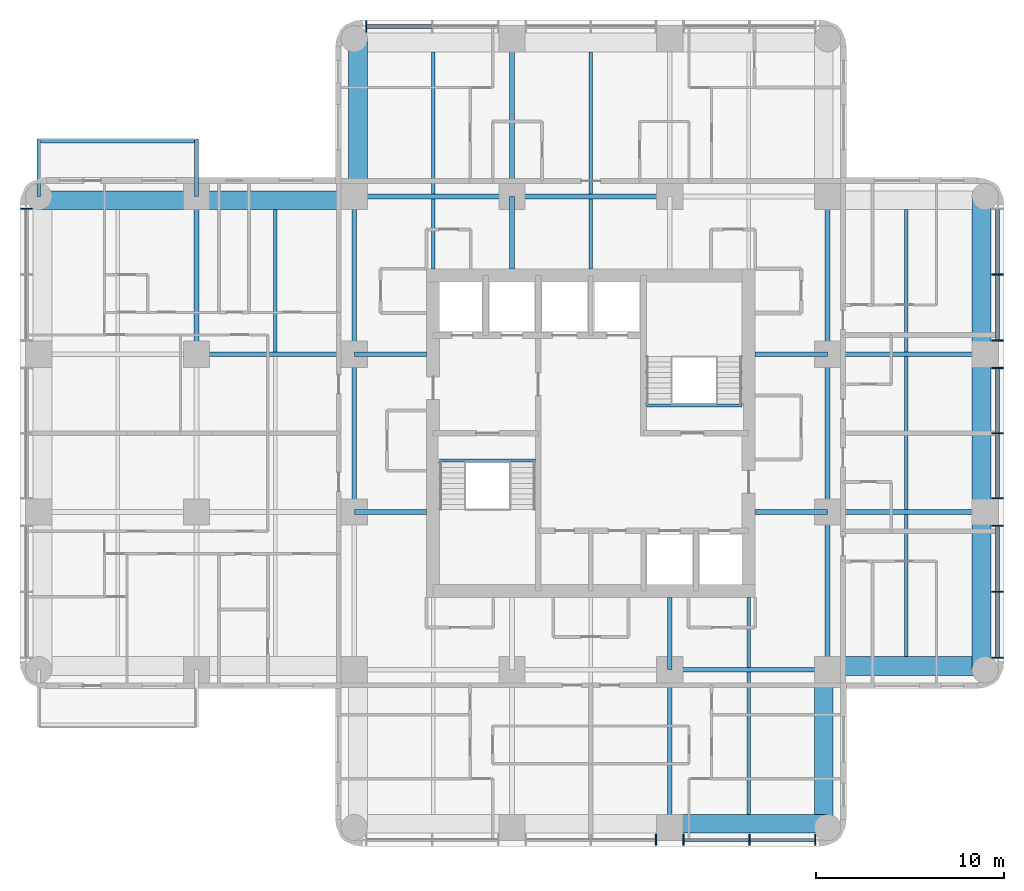
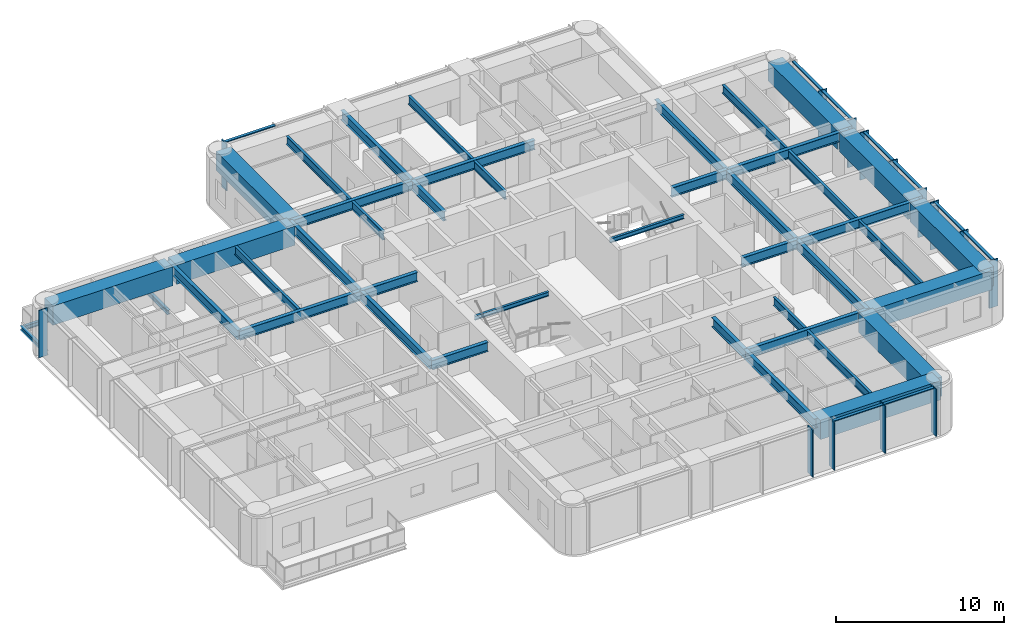
# One storey, part 2 of 11: 44 beams, 23 members, 4 elements without a shape of their own.
"""IFC4 building model written with IfcOpenShell, lengths in metres."""

from ifc_helpers import new_model, si_unit, direction, frame, origin, origin_2d, place, context, subcontext, project, spatial, rectangle, i_section, extrude, material, material_profile, profile_set, type_object, element, aggregate, save


model = new_model("IFC4")

# Units and contexts
model_context = context("Model", 3, precision=1e-05, world=origin(), true_north=direction((0.0, 1.0)))
body_context = subcontext(model_context, "Body", "Model", "MODEL_VIEW")
ifc_project = project(units=[si_unit("LENGTHUNIT", "METRE"), si_unit("AREAUNIT", "SQUARE_METRE"), si_unit("VOLUMEUNIT", "CUBIC_METRE"), si_unit("PLANEANGLEUNIT", "RADIAN"), si_unit("MASSUNIT", "GRAM", prefix="KILO")], contexts=[model_context])

# Site, building, storey
site_placement = place(None, origin())
site = spatial("IfcSite", under=ifc_project, at=site_placement, CompositionType="ELEMENT")
building_placement = place(site_placement, origin())
building = spatial("IfcBuilding", under=site, at=building_placement, Name="Torre Alcanfor", CompositionType="ELEMENT")
storey_placement = place(building_placement, frame((0.0, 0.0, 230.10009765625)))
storey = spatial("IfcBuildingStorey", under=building, at=storey_placement, Name="L60", CompositionType="ELEMENT", Elevation=230.10009765625)

# Beams
ifc_material_1 = material(Name="Steel ASTM A992 Grade 50", Category="steel")
ifc_material_profile_1 = material_profile(ifc_material_1, i_section(OverallWidth=0.205322265625, OverallDepth=0.309814453125, WebThickness=0.00927734375, FlangeThickness=0.016357421875, at=origin_2d()), Name="W12x50")
ifc_profile_set_1 = profile_set([ifc_material_profile_1], Name="Steel ASTM A992 Grade 50")
beam_type_1 = type_object("IfcBeamType", Name="Balcony cantilever beam W12x50", PredefinedType="BEAM", material=ifc_profile_set_1)
for number, where, z_axis, x_axis, name in (
    (1, (8.39990234375, 42.0, -0.35498046875), (0.0, 1.0, 0.0), (-1.0, 0.0, 0.0), "Balcony cantilever beam L60-W2 1"),
    (2, (0.0, 42.0, -0.35498046875), (0.0, 1.0, 0.0), (-1.0, 0.0, 0.0), "Balcony cantilever beam L60-W2 2"),
):
    element("IfcBeam", number, at=place(storey_placement, frame(where, z_axis=z_axis, x_axis=x_axis)), inside=storey, type_object=beam_type_1, Name=name, PredefinedType="BEAM", context=body_context, shape_type="SweptSolid", body=[
        extrude(i_section(OverallWidth=0.205322265625, OverallDepth=0.309814453125, WebThickness=0.00927734375, FlangeThickness=0.016357421875, at=origin_2d()), origin(), (0.0, 0.0, 1.0), 3.050048828125),
    ])
ifc_material_2 = material(Name="Steel ASTM A992 Grade 50", Category="steel")
ifc_material_profile_2 = material_profile(ifc_material_2, i_section(OverallWidth=0.203369140625, OverallDepth=0.30224609375, WebThickness=0.007568359375, FlangeThickness=0.01318359375, at=origin_2d()), Name="W12x40")
ifc_profile_set_2 = profile_set([ifc_material_profile_2], Name="Steel ASTM A992 Grade 50")
beam_type_2 = type_object("IfcBeamType", Name="Balcony edge trimmer W12x40", PredefinedType="BEAM", material=ifc_profile_set_2)
beam_1_placement = place(storey_placement, frame((8.39990234375, 44.9482421875, -0.351318359375), z_axis=(-1.0, 0.0, 0.0), x_axis=(0.0, -1.0, 0.0)))
element("IfcBeam", 3, at=beam_1_placement, inside=storey, type_object=beam_type_2, Name="Balcony edge trimmer L60-W2", PredefinedType="BEAM", context=body_context, shape_type="SweptSolid", body=[
    extrude(i_section(OverallWidth=0.203369140625, OverallDepth=0.30224609375, WebThickness=0.007568359375, FlangeThickness=0.01318359375, at=origin_2d()), origin(), (0.0, 0.0, 1.0), 8.39990234375),
])

# Curtain wall, member
ifc_material_3 = material(Name="Aluminium and glass", Category="aluminium")
curtain_wall_type = type_object("IfcCurtainWallType", Name="CW-A unitised apartment glazing with vertical FIN", PredefinedType="NOTDEFINED", material=ifc_material_3)
curtain_wall_1_placement = place(storey_placement, origin())
curtain_wall_1 = element("IfcCurtainWall", 4, at=curtain_wall_1_placement, inside=storey, type_object=curtain_wall_type, Name="Curtain wall CW-A L60 2", PredefinedType="NOTDEFINED")
ifc_material_4 = material(Name="Bronze anodised aluminium", Category="aluminium")
ifc_material_profile_3 = material_profile(ifc_material_4, rectangle(XDim=0.60009765625, YDim=0.06494140625, at=origin_2d()), Name="CW-A mullion 65x600")
ifc_profile_set_3 = profile_set([ifc_material_profile_3], Name="Bronze anodised aluminium")
member_type_1 = type_object("IfcMemberType", Name="CW-A mullion with vertical FIN 65x600", PredefinedType="MULLION", material=ifc_profile_set_3)
member_1_placement = place(storey_placement, frame((-0.64990234375, 41.35546875, 0.0), z_axis=(0.0, 0.0, 1.0), x_axis=(1.0, 0.0, 0.0)))
member_1 = element("IfcMember", 5, at=member_1_placement, type_object=member_type_1, Name="CW-A mullion 1.1", PredefinedType="MULLION", context=body_context, shape_type="SweptSolid", body=[
    extrude(rectangle(XDim=0.60009765625, YDim=0.06494140625, at=origin_2d()), origin(), (0.0, 0.0, 1.0), 3.449951171875),
])
aggregate(curtain_wall_1, [member_1])

# Curtain wall, members
curtain_wall_2_placement = place(storey_placement, origin())
curtain_wall_2 = element("IfcCurtainWall", 6, at=curtain_wall_2_placement, inside=storey, type_object=curtain_wall_type, Name="Curtain wall CW-A L60 5", PredefinedType="NOTDEFINED")
member_2_placement = place(storey_placement, frame((32.862548828125, 7.75, 0.0), z_axis=(0.0, 0.0, 1.0), x_axis=(0.0, 1.0, 0.0)))
member_2 = element("IfcMember", 7, at=member_2_placement, type_object=member_type_1, Name="CW-A mullion 2.3", PredefinedType="MULLION", context=body_context, shape_type="SweptSolid", body=[
    extrude(rectangle(XDim=0.60009765625, YDim=0.06494140625, at=origin_2d()), origin(), (0.0, 0.0, 1.0), 3.449951171875),
])
member_3_placement = place(storey_placement, frame((34.33740234375, 7.75, 0.0), z_axis=(0.0, 0.0, 1.0), x_axis=(0.0, 1.0, 0.0)))
member_3 = element("IfcMember", 8, at=member_3_placement, type_object=member_type_1, Name="CW-A mullion 3.1", PredefinedType="MULLION", context=body_context, shape_type="SweptSolid", body=[
    extrude(rectangle(XDim=0.60009765625, YDim=0.06494140625, at=origin_2d()), origin(), (0.0, 0.0, 1.0), 3.449951171875),
])
member_4_placement = place(storey_placement, frame((37.846435546875, 7.75, 0.0), z_axis=(0.0, 0.0, 1.0), x_axis=(0.0, 1.0, 0.0)))
member_4 = element("IfcMember", 9, at=member_4_placement, type_object=member_type_1, Name="CW-A mullion 3.2", PredefinedType="MULLION", context=body_context, shape_type="SweptSolid", body=[
    extrude(rectangle(XDim=0.60009765625, YDim=0.06494140625, at=origin_2d()), origin(), (0.0, 0.0, 1.0), 3.449951171875),
])
member_5_placement = place(storey_placement, frame((41.35546875, 7.75, 0.0), z_axis=(0.0, 0.0, 1.0), x_axis=(0.0, 1.0, 0.0)))
member_5 = element("IfcMember", 10, at=member_5_placement, type_object=member_type_1, Name="CW-A mullion 3.3", PredefinedType="MULLION", context=body_context, shape_type="SweptSolid", body=[
    extrude(rectangle(XDim=0.60009765625, YDim=0.06494140625, at=origin_2d()), origin(), (0.0, 0.0, 1.0), 3.449951171875),
])

curtain_wall_3_placement = place(storey_placement, origin())
curtain_wall_3 = element("IfcCurtainWall", 11, at=curtain_wall_3_placement, inside=storey, type_object=curtain_wall_type, Name="Curtain wall CW-A L60 8", PredefinedType="NOTDEFINED")
member_6_placement = place(storey_placement, frame((51.050048828125, 17.444580078125, 0.0), z_axis=(0.0, 0.0, 1.0), x_axis=(-1.0, 0.0, 0.0)))
member_6 = element("IfcMember", 12, at=member_6_placement, type_object=member_type_1, Name="CW-A mullion 1.1", PredefinedType="MULLION", context=body_context, shape_type="SweptSolid", body=[
    extrude(rectangle(XDim=0.60009765625, YDim=0.06494140625, at=origin_2d()), origin(), (0.0, 0.0, 1.0), 3.449951171875),
])
member_7_placement = place(storey_placement, frame((51.050048828125, 20.95361328125, 0.0), z_axis=(0.0, 0.0, 1.0), x_axis=(-1.0, 0.0, 0.0)))
member_7 = element("IfcMember", 13, at=member_7_placement, type_object=member_type_1, Name="CW-A mullion 1.2", PredefinedType="MULLION", context=body_context, shape_type="SweptSolid", body=[
    extrude(rectangle(XDim=0.60009765625, YDim=0.06494140625, at=origin_2d()), origin(), (0.0, 0.0, 1.0), 3.449951171875),
])
member_8_placement = place(storey_placement, frame((51.050048828125, 24.46240234375, 0.0), z_axis=(0.0, 0.0, 1.0), x_axis=(-1.0, 0.0, 0.0)))
member_8 = element("IfcMember", 14, at=member_8_placement, type_object=member_type_1, Name="CW-A mullion 1.3", PredefinedType="MULLION", context=body_context, shape_type="SweptSolid", body=[
    extrude(rectangle(XDim=0.60009765625, YDim=0.06494140625, at=origin_2d()), origin(), (0.0, 0.0, 1.0), 3.449951171875),
])
member_9_placement = place(storey_placement, frame((51.050048828125, 25.9375, 0.0), z_axis=(0.0, 0.0, 1.0), x_axis=(-1.0, 0.0, 0.0)))
member_9 = element("IfcMember", 15, at=member_9_placement, type_object=member_type_1, Name="CW-A mullion 2.1", PredefinedType="MULLION", context=body_context, shape_type="SweptSolid", body=[
    extrude(rectangle(XDim=0.60009765625, YDim=0.06494140625, at=origin_2d()), origin(), (0.0, 0.0, 1.0), 3.449951171875),
])
member_10_placement = place(storey_placement, frame((51.050048828125, 29.39990234375, 0.0), z_axis=(0.0, 0.0, 1.0), x_axis=(-1.0, 0.0, 0.0)))
member_10 = element("IfcMember", 16, at=member_10_placement, type_object=member_type_1, Name="CW-A mullion 2.2", PredefinedType="MULLION", context=body_context, shape_type="SweptSolid", body=[
    extrude(rectangle(XDim=0.60009765625, YDim=0.06494140625, at=origin_2d()), origin(), (0.0, 0.0, 1.0), 3.449951171875),
])
member_11_placement = place(storey_placement, frame((51.050048828125, 32.862548828125, 0.0), z_axis=(0.0, 0.0, 1.0), x_axis=(-1.0, 0.0, 0.0)))
member_11 = element("IfcMember", 17, at=member_11_placement, type_object=member_type_1, Name="CW-A mullion 2.3", PredefinedType="MULLION", context=body_context, shape_type="SweptSolid", body=[
    extrude(rectangle(XDim=0.60009765625, YDim=0.06494140625, at=origin_2d()), origin(), (0.0, 0.0, 1.0), 3.449951171875),
])
member_12_placement = place(storey_placement, frame((51.050048828125, 34.33740234375, 0.0), z_axis=(0.0, 0.0, 1.0), x_axis=(-1.0, 0.0, 0.0)))
member_12 = element("IfcMember", 18, at=member_12_placement, type_object=member_type_1, Name="CW-A mullion 3.1", PredefinedType="MULLION", context=body_context, shape_type="SweptSolid", body=[
    extrude(rectangle(XDim=0.60009765625, YDim=0.06494140625, at=origin_2d()), origin(), (0.0, 0.0, 1.0), 3.449951171875),
])
member_13_placement = place(storey_placement, frame((51.050048828125, 37.846435546875, 0.0), z_axis=(0.0, 0.0, 1.0), x_axis=(-1.0, 0.0, 0.0)))
member_13 = element("IfcMember", 19, at=member_13_placement, type_object=member_type_1, Name="CW-A mullion 3.2", PredefinedType="MULLION", context=body_context, shape_type="SweptSolid", body=[
    extrude(rectangle(XDim=0.60009765625, YDim=0.06494140625, at=origin_2d()), origin(), (0.0, 0.0, 1.0), 3.449951171875),
])

# Curtain wall, member
curtain_wall_4_placement = place(storey_placement, origin())
curtain_wall_4 = element("IfcCurtainWall", 20, at=curtain_wall_4_placement, inside=storey, type_object=curtain_wall_type, Name="Curtain wall CW-A L60 11", PredefinedType="NOTDEFINED")
member_14_placement = place(storey_placement, frame((17.444580078125, 51.050048828125, 0.0), z_axis=(0.0, 0.0, 1.0), x_axis=(0.0, -1.0, 0.0)))
member_14 = element("IfcMember", 21, at=member_14_placement, type_object=member_type_1, Name="CW-A mullion 3.3", PredefinedType="MULLION", context=body_context, shape_type="SweptSolid", body=[
    extrude(rectangle(XDim=0.60009765625, YDim=0.06494140625, at=origin_2d()), origin(), (0.0, 0.0, 1.0), 3.449951171875),
])

# Member
ifc_material_5 = material(Name="Extruded aluminium", Category="aluminium")
ifc_material_profile_4 = material_profile(ifc_material_5, rectangle(XDim=0.199951171875, YDim=0.06494140625, at=origin_2d()), Name="CW-A transom 200x65")
ifc_profile_set_4 = profile_set([ifc_material_profile_4], Name="Extruded aluminium")
member_type_2 = type_object("IfcMemberType", Name="CW-A transom 65x200", PredefinedType="USERDEFINED", material=ifc_profile_set_4)
member_15_placement = place(storey_placement, frame((34.3701171875, 7.75, 3.41748046875), z_axis=(1.0, 0.0, 0.0), x_axis=(0.0, 1.0, 0.0)))
member_15 = element("IfcMember", 22, at=member_15_placement, type_object=member_type_2, Name="CW-A transom 3.1.2", ObjectType="TRANSOM", PredefinedType="USERDEFINED", context=body_context, shape_type="SweptSolid", body=[
    extrude(rectangle(XDim=0.199951171875, YDim=0.06494140625, at=origin_2d()), origin(), (0.0, 0.0, 1.0), 3.44384765625),
])

member_16_placement = place(storey_placement, frame((37.87890625, 7.75, 3.41748046875), z_axis=(1.0, 0.0, 0.0), x_axis=(0.0, 1.0, 0.0)))
member_16 = element("IfcMember", 23, at=member_16_placement, type_object=member_type_2, Name="CW-A transom 3.2.2", ObjectType="TRANSOM", PredefinedType="USERDEFINED", context=body_context, shape_type="SweptSolid", body=[
    extrude(rectangle(XDim=0.199951171875, YDim=0.06494140625, at=origin_2d()), origin(), (0.0, 0.0, 1.0), 3.444091796875),
])

aggregate(curtain_wall_2, [member_2, member_3, member_4, member_5, member_15, member_16])

member_17_placement = place(storey_placement, frame((51.050048828125, 17.47705078125, 3.41748046875), z_axis=(0.0, 1.0, 0.0), x_axis=(-1.0, 0.0, 0.0)))
member_17 = element("IfcMember", 24, at=member_17_placement, type_object=member_type_2, Name="CW-A transom 1.1.2", ObjectType="TRANSOM", PredefinedType="USERDEFINED", context=body_context, shape_type="SweptSolid", body=[
    extrude(rectangle(XDim=0.199951171875, YDim=0.06494140625, at=origin_2d()), origin(), (0.0, 0.0, 1.0), 3.44384765625),
])

member_18_placement = place(storey_placement, frame((51.050048828125, 20.986083984375, 3.41748046875), z_axis=(0.0, 1.0, 0.0), x_axis=(-1.0, 0.0, 0.0)))
member_18 = element("IfcMember", 25, at=member_18_placement, type_object=member_type_2, Name="CW-A transom 1.2.2", ObjectType="TRANSOM", PredefinedType="USERDEFINED", context=body_context, shape_type="SweptSolid", body=[
    extrude(rectangle(XDim=0.199951171875, YDim=0.06494140625, at=origin_2d()), origin(), (0.0, 0.0, 1.0), 3.44384765625),
])

member_19_placement = place(storey_placement, frame((51.050048828125, 25.969970703125, 3.41748046875), z_axis=(0.0, 1.0, 0.0), x_axis=(-1.0, 0.0, 0.0)))
member_19 = element("IfcMember", 26, at=member_19_placement, type_object=member_type_2, Name="CW-A transom 2.1.2", ObjectType="TRANSOM", PredefinedType="USERDEFINED", context=body_context, shape_type="SweptSolid", body=[
    extrude(rectangle(XDim=0.199951171875, YDim=0.06494140625, at=origin_2d()), origin(), (0.0, 0.0, 1.0), 3.3974609375),
])

member_20_placement = place(storey_placement, frame((51.050048828125, 29.4326171875, 3.41748046875), z_axis=(0.0, 1.0, 0.0), x_axis=(-1.0, 0.0, 0.0)))
member_20 = element("IfcMember", 27, at=member_20_placement, type_object=member_type_2, Name="CW-A transom 2.2.2", ObjectType="TRANSOM", PredefinedType="USERDEFINED", context=body_context, shape_type="SweptSolid", body=[
    extrude(rectangle(XDim=0.199951171875, YDim=0.06494140625, at=origin_2d()), origin(), (0.0, 0.0, 1.0), 3.3974609375),
])

member_21_placement = place(storey_placement, frame((51.050048828125, 34.3701171875, 3.41748046875), z_axis=(0.0, 1.0, 0.0), x_axis=(-1.0, 0.0, 0.0)))
member_21 = element("IfcMember", 28, at=member_21_placement, type_object=member_type_2, Name="CW-A transom 3.1.2", ObjectType="TRANSOM", PredefinedType="USERDEFINED", context=body_context, shape_type="SweptSolid", body=[
    extrude(rectangle(XDim=0.199951171875, YDim=0.06494140625, at=origin_2d()), origin(), (0.0, 0.0, 1.0), 3.44384765625),
])

member_22_placement = place(storey_placement, frame((51.050048828125, 37.87890625, 3.41748046875), z_axis=(0.0, 1.0, 0.0), x_axis=(-1.0, 0.0, 0.0)))
member_22 = element("IfcMember", 29, at=member_22_placement, type_object=member_type_2, Name="CW-A transom 3.2.2", ObjectType="TRANSOM", PredefinedType="USERDEFINED", context=body_context, shape_type="SweptSolid", body=[
    extrude(rectangle(XDim=0.199951171875, YDim=0.06494140625, at=origin_2d()), origin(), (0.0, 0.0, 1.0), 3.444091796875),
])

aggregate(curtain_wall_3, [member_6, member_7, member_8, member_17, member_18, member_9, member_10, member_11, member_19, member_20, member_12, member_13, member_21, member_22])

member_23_placement = place(storey_placement, frame((20.9208984375, 51.050048828125, 3.41748046875), z_axis=(-1.0, 0.0, 0.0), x_axis=(0.0, -1.0, 0.0)))
member_23 = element("IfcMember", 30, at=member_23_placement, type_object=member_type_2, Name="CW-A transom 3.2.2", ObjectType="TRANSOM", PredefinedType="USERDEFINED", context=body_context, shape_type="SweptSolid", body=[
    extrude(rectangle(XDim=0.199951171875, YDim=0.06494140625, at=origin_2d()), origin(), (0.0, 0.0, 1.0), 3.44384765625),
])

aggregate(curtain_wall_4, [member_14, member_23])

# Beams
ifc_material_6 = material(Name="Steel ASTM A992 Grade 50", Category="steel")
ifc_material_profile_5 = material_profile(ifc_material_6, i_section(OverallWidth=0.25390625, OverallDepth=0.683349609375, WebThickness=0.012451171875, FlangeThickness=0.01904296875, at=origin_2d()), Name="W27x94")
ifc_profile_set_5 = profile_set([ifc_material_profile_5], Name="Steel ASTM A992 Grade 50")
beam_type_3 = type_object("IfcBeamType", Name="Girder W27x94", PredefinedType="BEAM", material=ifc_profile_set_5)
for number, where, z_axis, x_axis, name in (
    (31, (33.60009765625, 16.800048828125, 3.108154296875), (1.0, 0.0, 0.0), (0.0, 1.0, 0.0), "Beam 5E-6E under L61"),
    (32, (42.0, 25.199951171875, 3.108154296875), (1.0, 0.0, 0.0), (0.0, 1.0, 0.0), "Beam 6F-7F under L61"),
):
    element("IfcBeam", number, at=place(storey_placement, frame(where, z_axis=z_axis, x_axis=x_axis)), inside=storey, type_object=beam_type_3, Name=name, PredefinedType="BEAM", context=body_context, shape_type="SweptSolid", body=[
        extrude(i_section(OverallWidth=0.25390625, OverallDepth=0.683349609375, WebThickness=0.012451171875, FlangeThickness=0.01904296875, at=origin_2d()), origin(), (0.0, 0.0, 1.0), 8.39990234375),
    ])
beam_2_placement = place(storey_placement, frame((8.39990234375, 33.60009765625, 3.108154296875), z_axis=(1.0, 0.0, 0.0), x_axis=(0.0, 1.0, 0.0)))
element("IfcBeam", 33, at=beam_2_placement, inside=storey, type_object=beam_type_3, Name="Beam 2G-3G under L61", PredefinedType="BEAM", context=body_context, shape_type="SweptSolid", body=[
    extrude(i_section(OverallWidth=0.25390625, OverallDepth=0.683349609375, WebThickness=0.012451171875, FlangeThickness=0.01904296875, at=origin_2d()), origin(), (0.0, 0.0, 1.0), 8.400146484375),
])
for number, where, z_axis, x_axis, name in (
    (34, (42.0, 33.60009765625, 3.108154296875), (1.0, 0.0, 0.0), (0.0, 1.0, 0.0), "Beam 6G-7G under L61"),
    (35, (16.800048828125, 42.0, 3.108154296875), (1.0, 0.0, 0.0), (0.0, 1.0, 0.0), "Beam 3H-4H under L61"),
):
    element("IfcBeam", number, at=place(storey_placement, frame(where, z_axis=z_axis, x_axis=x_axis)), inside=storey, type_object=beam_type_3, Name=name, PredefinedType="BEAM", context=body_context, shape_type="SweptSolid", body=[
        extrude(i_section(OverallWidth=0.25390625, OverallDepth=0.683349609375, WebThickness=0.012451171875, FlangeThickness=0.01904296875, at=origin_2d()), origin(), (0.0, 0.0, 1.0), 8.39990234375),
    ])
beam_3_placement = place(storey_placement, frame((25.199951171875, 42.0, 3.108154296875), z_axis=(1.0, 0.0, 0.0), x_axis=(0.0, 1.0, 0.0)))
element("IfcBeam", 36, at=beam_3_placement, inside=storey, type_object=beam_type_3, Name="Beam 4H-5H under L61", PredefinedType="BEAM", context=body_context, shape_type="SweptSolid", body=[
    extrude(i_section(OverallWidth=0.25390625, OverallDepth=0.683349609375, WebThickness=0.012451171875, FlangeThickness=0.01904296875, at=origin_2d()), origin(), (0.0, 0.0, 1.0), 8.400146484375),
])
beam_4_placement = place(storey_placement, frame((8.39990234375, 33.60009765625, 3.108154296875), z_axis=(0.0, 1.0, 0.0), x_axis=(-1.0, 0.0, 0.0)))
element("IfcBeam", 37, at=beam_4_placement, inside=storey, type_object=beam_type_3, Name="Beam 2G-2H under L61", PredefinedType="BEAM", context=body_context, shape_type="SweptSolid", body=[
    extrude(i_section(OverallWidth=0.25390625, OverallDepth=0.683349609375, WebThickness=0.012451171875, FlangeThickness=0.01904296875, at=origin_2d()), origin(), (0.0, 0.0, 1.0), 8.39990234375),
])
beam_5_placement = place(storey_placement, frame((16.800048828125, 25.199951171875, 3.108154296875), z_axis=(0.0, 1.0, 0.0), x_axis=(-1.0, 0.0, 0.0)))
element("IfcBeam", 38, at=beam_5_placement, inside=storey, type_object=beam_type_3, Name="Beam 3F-3G under L61", PredefinedType="BEAM", context=body_context, shape_type="SweptSolid", body=[
    extrude(i_section(OverallWidth=0.25390625, OverallDepth=0.683349609375, WebThickness=0.012451171875, FlangeThickness=0.01904296875, at=origin_2d()), origin(), (0.0, 0.0, 1.0), 8.400146484375),
])
for number, where, z_axis, x_axis, name in (
    (39, (16.800048828125, 33.60009765625, 3.108154296875), (0.0, 1.0, 0.0), (-1.0, 0.0, 0.0), "Beam 3G-3H under L61"),
    (40, (25.199951171875, 42.0, 3.108154296875), (0.0, 1.0, 0.0), (-1.0, 0.0, 0.0), "Beam 4H-4J under L61"),
):
    element("IfcBeam", number, at=place(storey_placement, frame(where, z_axis=z_axis, x_axis=x_axis)), inside=storey, type_object=beam_type_3, Name=name, PredefinedType="BEAM", context=body_context, shape_type="SweptSolid", body=[
        extrude(i_section(OverallWidth=0.25390625, OverallDepth=0.683349609375, WebThickness=0.012451171875, FlangeThickness=0.01904296875, at=origin_2d()), origin(), (0.0, 0.0, 1.0), 8.39990234375),
    ])
beam_6_placement = place(storey_placement, frame((33.60009765625, 8.39990234375, 3.108154296875), z_axis=(0.0, 1.0, 0.0), x_axis=(-1.0, 0.0, 0.0)))
element("IfcBeam", 41, at=beam_6_placement, inside=storey, type_object=beam_type_3, Name="Beam 5D-5E under L61", PredefinedType="BEAM", context=body_context, shape_type="SweptSolid", body=[
    extrude(i_section(OverallWidth=0.25390625, OverallDepth=0.683349609375, WebThickness=0.012451171875, FlangeThickness=0.01904296875, at=origin_2d()), origin(), (0.0, 0.0, 1.0), 8.400146484375),
])
beam_7_placement = place(storey_placement, frame((42.0, 16.800048828125, 3.108154296875), z_axis=(0.0, 1.0, 0.0), x_axis=(-1.0, 0.0, 0.0)))
element("IfcBeam", 42, at=beam_7_placement, inside=storey, type_object=beam_type_3, Name="Beam 6E-6F under L61", PredefinedType="BEAM", context=body_context, shape_type="SweptSolid", body=[
    extrude(i_section(OverallWidth=0.25390625, OverallDepth=0.683349609375, WebThickness=0.012451171875, FlangeThickness=0.01904296875, at=origin_2d()), origin(), (0.0, 0.0, 1.0), 8.39990234375),
])
beam_8_placement = place(storey_placement, frame((42.0, 25.199951171875, 3.108154296875), z_axis=(0.0, 1.0, 0.0), x_axis=(-1.0, 0.0, 0.0)))
element("IfcBeam", 43, at=beam_8_placement, inside=storey, type_object=beam_type_3, Name="Beam 6F-6G under L61", PredefinedType="BEAM", context=body_context, shape_type="SweptSolid", body=[
    extrude(i_section(OverallWidth=0.25390625, OverallDepth=0.683349609375, WebThickness=0.012451171875, FlangeThickness=0.01904296875, at=origin_2d()), origin(), (0.0, 0.0, 1.0), 8.400146484375),
])
beam_9_placement = place(storey_placement, frame((42.0, 33.60009765625, 3.108154296875), z_axis=(0.0, 1.0, 0.0), x_axis=(-1.0, 0.0, 0.0)))
element("IfcBeam", 44, at=beam_9_placement, inside=storey, type_object=beam_type_3, Name="Beam 6G-6H under L61", PredefinedType="BEAM", context=body_context, shape_type="SweptSolid", body=[
    extrude(i_section(OverallWidth=0.25390625, OverallDepth=0.683349609375, WebThickness=0.012451171875, FlangeThickness=0.01904296875, at=origin_2d()), origin(), (0.0, 0.0, 1.0), 8.39990234375),
])
ifc_material_7 = material(Name="Steel ASTM A992 Grade 50", Category="steel")
ifc_material_profile_6 = material_profile(ifc_material_7, i_section(OverallWidth=0.25390625, OverallDepth=0.683349609375, WebThickness=0.012451171875, FlangeThickness=0.01904296875, at=origin_2d()), Name="W27x94")
ifc_profile_set_6 = profile_set([ifc_material_profile_6], Name="Steel ASTM A992 Grade 50")
beam_type_4 = type_object("IfcBeamType", Name="Girder, part bay W27x94", PredefinedType="BEAM", material=ifc_profile_set_6)
beam_10_placement = place(storey_placement, frame((25.199951171875, 42.0, 3.108154296875), z_axis=(0.0, -1.0, 0.0), x_axis=(1.0, 0.0, 0.0)))
element("IfcBeam", 45, at=beam_10_placement, inside=storey, type_object=beam_type_4, Name="Beam 4H-438_15 under L61", PredefinedType="BEAM", context=body_context, shape_type="SweptSolid", body=[
    extrude(i_section(OverallWidth=0.25390625, OverallDepth=0.683349609375, WebThickness=0.012451171875, FlangeThickness=0.01904296875, at=origin_2d()), origin(), (0.0, 0.0, 1.0), 3.85009765625),
])
for number, where, z_axis, x_axis, name in (
    (46, (33.60009765625, 16.800048828125, 3.108154296875), (0.0, 1.0, 0.0), (-1.0, 0.0, 0.0), "Beam 5E-520_65 under L61"),
    (47, (16.800048828125, 25.199951171875, 3.108154296875), (1.0, 0.0, 0.0), (0.0, 1.0, 0.0), "Beam 3F-20_65F under L61"),
):
    element("IfcBeam", number, at=place(storey_placement, frame(where, z_axis=z_axis, x_axis=x_axis)), inside=storey, type_object=beam_type_4, Name=name, PredefinedType="BEAM", context=body_context, shape_type="SweptSolid", body=[
        extrude(i_section(OverallWidth=0.25390625, OverallDepth=0.683349609375, WebThickness=0.012451171875, FlangeThickness=0.01904296875, at=origin_2d()), origin(), (0.0, 0.0, 1.0), 3.849853515625),
    ])
beam_11_placement = place(storey_placement, frame((42.0, 25.199951171875, 3.108154296875), z_axis=(-1.0, 0.0, 0.0), x_axis=(0.0, -1.0, 0.0)))
element("IfcBeam", 48, at=beam_11_placement, inside=storey, type_object=beam_type_4, Name="Beam 6F-38_15F under L61", PredefinedType="BEAM", context=body_context, shape_type="SweptSolid", body=[
    extrude(i_section(OverallWidth=0.25390625, OverallDepth=0.683349609375, WebThickness=0.012451171875, FlangeThickness=0.01904296875, at=origin_2d()), origin(), (0.0, 0.0, 1.0), 3.85009765625),
])
beam_12_placement = place(storey_placement, frame((16.800048828125, 33.60009765625, 3.108154296875), z_axis=(1.0, 0.0, 0.0), x_axis=(0.0, 1.0, 0.0)))
element("IfcBeam", 49, at=beam_12_placement, inside=storey, type_object=beam_type_4, Name="Beam 3G-20_65G under L61", PredefinedType="BEAM", context=body_context, shape_type="SweptSolid", body=[
    extrude(i_section(OverallWidth=0.25390625, OverallDepth=0.683349609375, WebThickness=0.012451171875, FlangeThickness=0.01904296875, at=origin_2d()), origin(), (0.0, 0.0, 1.0), 3.849853515625),
])
beam_13_placement = place(storey_placement, frame((42.0, 33.60009765625, 3.108154296875), z_axis=(-1.0, 0.0, 0.0), x_axis=(0.0, -1.0, 0.0)))
element("IfcBeam", 50, at=beam_13_placement, inside=storey, type_object=beam_type_4, Name="Beam 6G-38_15G under L61", PredefinedType="BEAM", context=body_context, shape_type="SweptSolid", body=[
    extrude(i_section(OverallWidth=0.25390625, OverallDepth=0.683349609375, WebThickness=0.012451171875, FlangeThickness=0.01904296875, at=origin_2d()), origin(), (0.0, 0.0, 1.0), 3.85009765625),
])
ifc_material_8 = material(Name="Concrete f'c 70 MPa", Category="concrete")
ifc_material_profile_7 = material_profile(ifc_material_8, rectangle(XDim=1.0, YDim=1.39990234375, at=origin_2d()), Name="1000x1400")
ifc_profile_set_7 = profile_set([ifc_material_profile_7], Name="Concrete f'c 70 MPa")
beam_type_5 = type_object("IfcBeamType", Name="RC perimeter beam 1000x1400", PredefinedType="BEAM", material=ifc_profile_set_7)
for number, where, z_axis, x_axis, name in (
    (51, (33.72705078125, 8.60009765625, 2.75), (1.0, 0.0, 0.0), (0.0, 1.0, 0.0), "Beam 5D-6D under L61"),
    (52, (42.126953125, 17.0, 2.75), (1.0, 0.0, 0.0), (0.0, 1.0, 0.0), "Beam 6E-7E under L61"),
    (53, (0.0, 41.800048828125, 2.75), (1.0, 0.0, 0.0), (0.0, 1.0, 0.0), "Beam 1H-2H under L61"),
):
    element("IfcBeam", number, at=place(storey_placement, frame(where, z_axis=z_axis, x_axis=x_axis)), inside=storey, type_object=beam_type_5, Name=name, PredefinedType="BEAM", context=body_context, shape_type="SweptSolid", body=[
        extrude(rectangle(XDim=1.0, YDim=1.39990234375, at=origin_2d()), origin(), (0.0, 0.0, 1.0), 8.27294921875),
    ])
beam_14_placement = place(storey_placement, frame((8.527099609375, 41.800048828125, 2.75), z_axis=(1.0, 0.0, 0.0), x_axis=(0.0, 1.0, 0.0)))
element("IfcBeam", 54, at=beam_14_placement, inside=storey, type_object=beam_type_5, Name="Beam 2H-3H under L61", PredefinedType="BEAM", context=body_context, shape_type="SweptSolid", body=[
    extrude(rectangle(XDim=1.0, YDim=1.39990234375, at=origin_2d()), origin(), (0.0, 0.0, 1.0), 8.14599609375),
])
beam_15_placement = place(storey_placement, frame((17.0, 42.126953125, 2.75), z_axis=(0.0, 1.0, 0.0), x_axis=(-1.0, 0.0, 0.0)))
element("IfcBeam", 55, at=beam_15_placement, inside=storey, type_object=beam_type_5, Name="Beam 3H-3J under L61", PredefinedType="BEAM", context=body_context, shape_type="SweptSolid", body=[
    extrude(rectangle(XDim=1.0, YDim=1.39990234375, at=origin_2d()), origin(), (0.0, 0.0, 1.0), 8.27294921875),
])
beam_16_placement = place(storey_placement, frame((41.800048828125, 8.39990234375, 2.75), z_axis=(0.0, 1.0, 0.0), x_axis=(-1.0, 0.0, 0.0)))
element("IfcBeam", 56, at=beam_16_placement, inside=storey, type_object=beam_type_5, Name="Beam 6D-6E under L61", PredefinedType="BEAM", context=body_context, shape_type="SweptSolid", body=[
    extrude(rectangle(XDim=1.0, YDim=1.39990234375, at=origin_2d()), origin(), (0.0, 0.0, 1.0), 8.273193359375),
])
beam_17_placement = place(storey_placement, frame((50.199951171875, 16.800048828125, 2.75), z_axis=(0.0, 1.0, 0.0), x_axis=(-1.0, 0.0, 0.0)))
element("IfcBeam", 57, at=beam_17_placement, inside=storey, type_object=beam_type_5, Name="Beam 7E-7F under L61", PredefinedType="BEAM", context=body_context, shape_type="SweptSolid", body=[
    extrude(rectangle(XDim=1.0, YDim=1.39990234375, at=origin_2d()), origin(), (0.0, 0.0, 1.0), 8.27294921875),
])
beam_18_placement = place(storey_placement, frame((50.199951171875, 25.326904296875, 2.75), z_axis=(0.0, 1.0, 0.0), x_axis=(-1.0, 0.0, 0.0)))
element("IfcBeam", 58, at=beam_18_placement, inside=storey, type_object=beam_type_5, Name="Beam 7F-7G under L61", PredefinedType="BEAM", context=body_context, shape_type="SweptSolid", body=[
    extrude(rectangle(XDim=1.0, YDim=1.39990234375, at=origin_2d()), origin(), (0.0, 0.0, 1.0), 8.14599609375),
])
beam_19_placement = place(storey_placement, frame((50.199951171875, 33.72705078125, 2.75), z_axis=(0.0, 1.0, 0.0), x_axis=(-1.0, 0.0, 0.0)))
element("IfcBeam", 59, at=beam_19_placement, inside=storey, type_object=beam_type_5, Name="Beam 7G-7H under L61", PredefinedType="BEAM", context=body_context, shape_type="SweptSolid", body=[
    extrude(rectangle(XDim=1.0, YDim=1.39990234375, at=origin_2d()), origin(), (0.0, 0.0, 1.0), 8.27294921875),
])
ifc_material_9 = material(Name="Steel ASTM A992 Grade 50", Category="steel")
ifc_material_profile_8 = material_profile(ifc_material_9, i_section(OverallWidth=0.1787109375, OverallDepth=0.60205078125, WebThickness=0.010986328125, FlangeThickness=0.014892578125, at=origin_2d()), Name="W24x62")
ifc_profile_set_8 = profile_set([ifc_material_profile_8], Name="Steel ASTM A992 Grade 50")
beam_type_6 = type_object("IfcBeamType", Name="Secondary beam W24x62", PredefinedType="BEAM", material=ifc_profile_set_8)
for number, where, z_axis, x_axis, name in (
    (60, (12.60009765625, 33.72705078125, 3.14892578125), (0.0, 1.0, 0.0), (-1.0, 0.0, 0.0), "Beam 12_6G-12_6H under L61"),
    (61, (21.0, 42.126953125, 3.14892578125), (0.0, 1.0, 0.0), (-1.0, 0.0, 0.0), "Beam 21H-21J under L61"),
    (62, (29.39990234375, 42.126953125, 3.14892578125), (0.0, 1.0, 0.0), (-1.0, 0.0, 0.0), "Beam 29_4H-29_4J under L61"),
    (63, (37.800048828125, 9.10009765625, 3.14892578125), (0.0, 1.0, 0.0), (-1.0, 0.0, 0.0), "Beam 37_8D-37_8E under L61"),
    (64, (46.199951171875, 17.5, 3.14892578125), (0.0, 1.0, 0.0), (-1.0, 0.0, 0.0), "Beam 46_2E-46_2F under L61"),
):
    element("IfcBeam", number, at=place(storey_placement, frame(where, z_axis=z_axis, x_axis=x_axis)), inside=storey, type_object=beam_type_6, Name=name, PredefinedType="BEAM", context=body_context, shape_type="SweptSolid", body=[
        extrude(i_section(OverallWidth=0.1787109375, OverallDepth=0.60205078125, WebThickness=0.010986328125, FlangeThickness=0.014892578125, at=origin_2d()), origin(), (0.0, 0.0, 1.0), 7.572998046875),
    ])
beam_20_placement = place(storey_placement, frame((46.199951171875, 25.326904296875, 3.14892578125), z_axis=(0.0, 1.0, 0.0), x_axis=(-1.0, 0.0, 0.0)))
element("IfcBeam", 65, at=beam_20_placement, inside=storey, type_object=beam_type_6, Name="Beam 46_2F-46_2G under L61", PredefinedType="BEAM", context=body_context, shape_type="SweptSolid", body=[
    extrude(i_section(OverallWidth=0.1787109375, OverallDepth=0.60205078125, WebThickness=0.010986328125, FlangeThickness=0.014892578125, at=origin_2d()), origin(), (0.0, 0.0, 1.0), 8.14599609375),
])
beam_21_placement = place(storey_placement, frame((46.199951171875, 33.72705078125, 3.14892578125), z_axis=(0.0, 1.0, 0.0), x_axis=(-1.0, 0.0, 0.0)))
element("IfcBeam", 66, at=beam_21_placement, inside=storey, type_object=beam_type_6, Name="Beam 46_2G-46_2H under L61", PredefinedType="BEAM", context=body_context, shape_type="SweptSolid", body=[
    extrude(i_section(OverallWidth=0.1787109375, OverallDepth=0.60205078125, WebThickness=0.010986328125, FlangeThickness=0.014892578125, at=origin_2d()), origin(), (0.0, 0.0, 1.0), 7.572998046875),
])
ifc_material_10 = material(Name="Steel ASTM A992 Grade 50", Category="steel")
ifc_material_profile_9 = material_profile(ifc_material_10, i_section(OverallWidth=0.1787109375, OverallDepth=0.60205078125, WebThickness=0.010986328125, FlangeThickness=0.014892578125, at=origin_2d()), Name="W24x62")
ifc_profile_set_9 = profile_set([ifc_material_profile_9], Name="Steel ASTM A992 Grade 50")
beam_type_7 = type_object("IfcBeamType", Name="Secondary beam, part bay W24x62", PredefinedType="BEAM", material=ifc_profile_set_9)
for number, where, z_axis, x_axis, name in (
    (67, (21.0, 38.14990234375, 3.14892578125), (0.0, 1.0, 0.0), (-1.0, 0.0, 0.0), "Beam 2138_15-21H under L61"),
    (68, (29.39990234375, 38.14990234375, 3.14892578125), (0.0, 1.0, 0.0), (-1.0, 0.0, 0.0), "Beam 29_438_15-29_4H under L61"),
):
    element("IfcBeam", number, at=place(storey_placement, frame(where, z_axis=z_axis, x_axis=x_axis)), inside=storey, type_object=beam_type_7, Name=name, PredefinedType="BEAM", context=body_context, shape_type="SweptSolid", body=[
        extrude(i_section(OverallWidth=0.1787109375, OverallDepth=0.60205078125, WebThickness=0.010986328125, FlangeThickness=0.014892578125, at=origin_2d()), origin(), (0.0, 0.0, 1.0), 3.72314453125),
    ])
beam_22_placement = place(storey_placement, frame((37.800048828125, 16.927001953125, 3.14892578125), z_axis=(0.0, 1.0, 0.0), x_axis=(-1.0, 0.0, 0.0)))
element("IfcBeam", 69, at=beam_22_placement, inside=storey, type_object=beam_type_7, Name="Beam 37_8E-37_820_65 under L61", PredefinedType="BEAM", context=body_context, shape_type="SweptSolid", body=[
    extrude(i_section(OverallWidth=0.1787109375, OverallDepth=0.60205078125, WebThickness=0.010986328125, FlangeThickness=0.014892578125, at=origin_2d()), origin(), (0.0, 0.0, 1.0), 3.722900390625),
])
ifc_material_11 = material(Name="Steel ASTM A992 Grade 50", Category="steel")
ifc_material_profile_10 = material_profile(ifc_material_11, i_section(OverallWidth=0.164794921875, OverallDepth=0.309814453125, WebThickness=0.005859375, FlangeThickness=0.009765625, at=origin_2d()), Name="W12x26")
ifc_profile_set_10 = profile_set([ifc_material_profile_10], Name="Steel ASTM A992 Grade 50")
beam_type_8 = type_object("IfcBeamType", Name="Stair landing beam W12x26", PredefinedType="BEAM", material=ifc_profile_set_10)
for number, where, z_axis, x_axis, name in (
    (70, (21.35009765625, 27.9375, 3.244873046875), (1.0, 0.0, 0.0), (0.0, 1.0, 0.0), "Landing trimmer S1 L61"),
    (71, (32.35009765625, 30.862548828125, 3.244873046875), (1.0, 0.0, 0.0), (0.0, 1.0, 0.0), "Landing trimmer S2 L61"),
):
    element("IfcBeam", number, at=place(storey_placement, frame(where, z_axis=z_axis, x_axis=x_axis)), inside=storey, type_object=beam_type_8, Name=name, PredefinedType="BEAM", context=body_context, shape_type="SweptSolid", body=[
        extrude(i_section(OverallWidth=0.164794921875, OverallDepth=0.309814453125, WebThickness=0.005859375, FlangeThickness=0.009765625, at=origin_2d()), origin(), (0.0, 0.0, 1.0), 5.099853515625),
    ])

save(model, "model.ifc")
